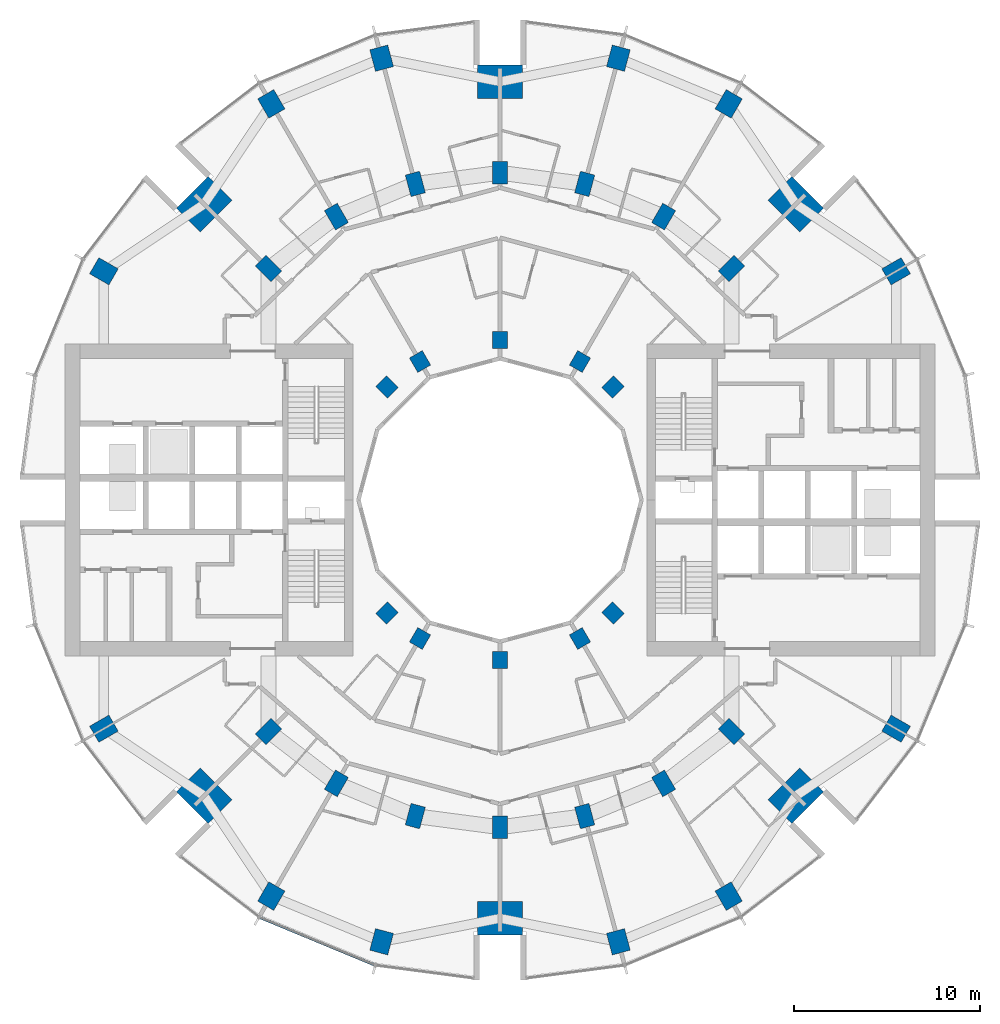
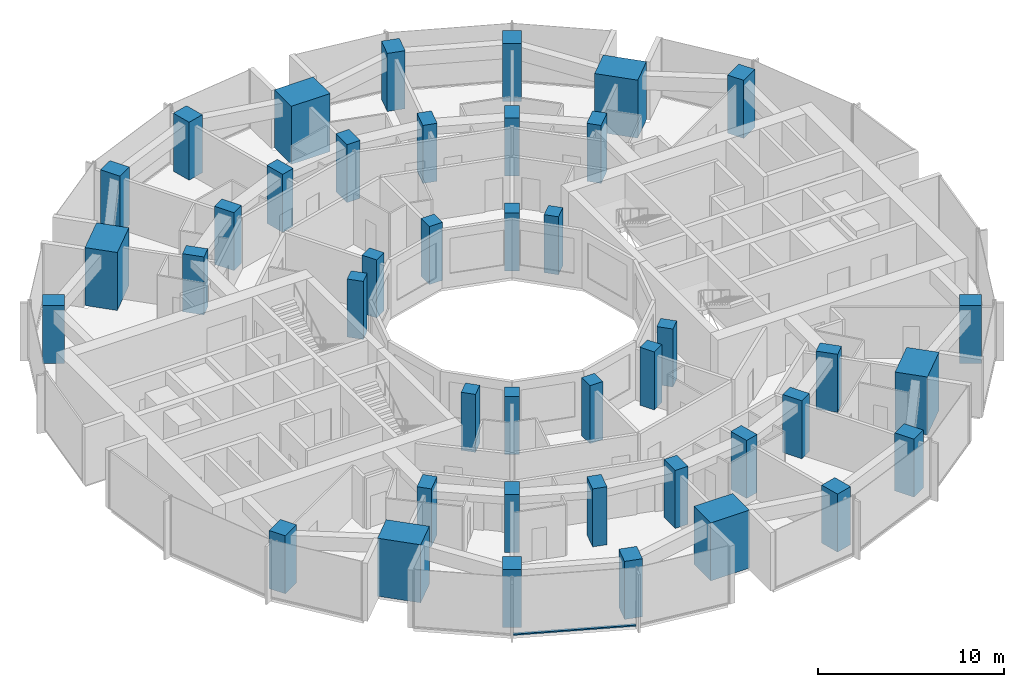
# One storey, part 1 of 15: 42 columns, 1 member, 1 element without a shape of its own.
"""IFC4 building model written with IfcOpenShell, lengths in metres."""

from ifc_helpers import new_model, si_unit, direction, frame, origin, origin_2d, place, context, subcontext, project, spatial, rectangle, extrude, material, layer, layer_set, material_profile, profile_set, type_object, element, aggregate, save


model = new_model("IFC4")

# Units and contexts
model_context = context("Model", 3, precision=1e-05, world=origin(), true_north=direction((0.0, 1.0)))
body_context = subcontext(model_context, "Body", "Model", "MODEL_VIEW")
ifc_project = project(units=[si_unit("LENGTHUNIT", "METRE"), si_unit("AREAUNIT", "SQUARE_METRE"), si_unit("VOLUMEUNIT", "CUBIC_METRE"), si_unit("PLANEANGLEUNIT", "RADIAN"), si_unit("MASSUNIT", "GRAM", prefix="KILO")], contexts=[model_context])

# Site, building, storey
site_placement = place(None, origin())
site = spatial("IfcSite", under=ifc_project, at=site_placement, CompositionType="ELEMENT")
building_placement = place(site_placement, origin())
building = spatial("IfcBuilding", under=site, at=building_placement, Name="Torre Brocal", CompositionType="ELEMENT")
storey_placement = place(building_placement, frame((0.0, 0.0, 36.39990234375)))
storey = spatial("IfcBuildingStorey", under=building, at=storey_placement, Name="L07", CompositionType="ELEMENT", Elevation=36.39990234375)

# Columns
ifc_material_1 = material(Name="Concrete C80", Category="concrete")
ifc_material_profile_1 = material_profile(ifc_material_1, rectangle(XDim=1.199951171875, YDim=1.0, at=origin_2d()), Name="RC 1200X1000")
ifc_profile_set_1 = profile_set([ifc_material_profile_1], Name="Concrete C80")
column_type_1 = type_object("IfcColumnType", Name="RC COLUMN 1200X1000 C80", PredefinedType="COLUMN", material=ifc_profile_set_1)
for number, where, z_axis, x_axis, name in (
    (1, (101.30419921875, 87.300048828125, 0.0), (0.0, 0.0, 1.0), (0.866025403784, 0.5, 0.0), "Column C-O02"),
    (2, (92.300048828125, 96.30419921875, 0.0), (0.0, 0.0, 1.0), (0.5, 0.866025403784, 0.0), "Column C-O04"),
    (3, (86.366943359375, 98.76171875, 0.0), (0.0, 0.0, 1.0), (0.258819045103, 0.965925826289, 0.0), "Column C-O05"),
    (4, (73.633056640625, 98.76171875, 0.0), (0.0, 0.0, 1.0), (-0.258819045103, 0.965925826289, 0.0), "Column C-O07"),
    (5, (67.699951171875, 96.30419921875, 0.0), (0.0, 0.0, 1.0), (-0.5, 0.866025403784, 0.0), "Column C-O08"),
    (6, (58.69580078125, 87.300048828125, 0.0), (0.0, 0.0, 1.0), (-0.866025403784, 0.5, 0.0), "Column C-O10"),
    (7, (58.69580078125, 62.699951171875, 0.0), (0.0, 0.0, 1.0), (-0.866025403784, -0.5, 0.0), "Column C-O14"),
    (8, (67.699951171875, 53.69580078125, 0.0), (0.0, 0.0, 1.0), (-0.5, -0.866025403784, 0.0), "Column C-O16"),
    (9, (73.633056640625, 51.23828125, 0.0), (0.0, 0.0, 1.0), (-0.258819045103, -0.965925826289, 0.0), "Column C-O17"),
    (10, (86.366943359375, 51.23828125, 0.0), (0.0, 0.0, 1.0), (0.258819045103, -0.965925826289, 0.0), "Column C-O19"),
    (11, (92.300048828125, 53.69580078125, 0.0), (0.0, 0.0, 1.0), (0.5, -0.866025403784, 0.0), "Column C-O20"),
    (12, (101.30419921875, 62.699951171875, 0.0), (0.0, 0.0, 1.0), (0.866025403784, -0.5, 0.0), "Column C-O22"),
):
    element("IfcColumn", number, at=place(storey_placement, frame(where, z_axis=z_axis, x_axis=x_axis)), inside=storey, type_object=column_type_1, Name=name, PredefinedType="COLUMN", context=body_context, shape_type="SweptSolid", body=[
        extrude(rectangle(XDim=1.199951171875, YDim=1.0, at=origin_2d()), origin(), (0.0, 0.0, 1.0), 3.800048828125),
    ])
ifc_material_2 = material(Name="Concrete C80", Category="concrete")
ifc_material_profile_2 = material_profile(ifc_material_2, rectangle(XDim=1.199951171875, YDim=0.800048828125, at=origin_2d()), Name="RC 1200X800")
ifc_profile_set_2 = profile_set([ifc_material_profile_2], Name="Concrete C80")
column_type_2 = type_object("IfcColumnType", Name="RC COLUMN 1200X800 C80", PredefinedType="COLUMN", material=ifc_profile_set_2)
for number, where, z_axis, x_axis, name in (
    (13, (92.445068359375, 87.445068359375, 0.0), (0.0, 0.0, 1.0), (0.707106781187, 0.707106781187, 0.0), "Column C-M03"),
    (14, (88.800048828125, 90.241943359375, 0.0), (0.0, 0.0, 1.0), (0.5, 0.866025403784, 0.0), "Column C-M04"),
    (15, (84.55517578125, 92.000244140625, 0.0), (0.0, 0.0, 1.0), (0.258819045103, 0.965925826289, 0.0), "Column C-M05"),
    (16, (80.0, 92.60009765625, 0.0), (0.0, 0.0, 1.0), (0.0, 1.0, 0.0), "Column C-M06"),
    (17, (75.44482421875, 92.000244140625, 0.0), (0.0, 0.0, 1.0), (-0.258819045103, 0.965925826289, 0.0), "Column C-M07"),
    (18, (71.199951171875, 90.241943359375, 0.0), (0.0, 0.0, 1.0), (-0.5, 0.866025403784, 0.0), "Column C-M08"),
    (19, (67.554931640625, 87.445068359375, 0.0), (0.0, 0.0, 1.0), (-0.707106781187, 0.707106781187, 0.0), "Column C-M09"),
    (20, (67.554931640625, 62.554931640625, 0.0), (0.0, 0.0, 1.0), (-0.707106781187, -0.707106781187, 0.0), "Column C-M15"),
    (21, (71.199951171875, 59.758056640625, 0.0), (0.0, 0.0, 1.0), (-0.5, -0.866025403784, 0.0), "Column C-M16"),
    (22, (75.44482421875, 57.999755859375, 0.0), (0.0, 0.0, 1.0), (-0.258819045103, -0.965925826289, 0.0), "Column C-M17"),
    (23, (80.0, 57.39990234375, 0.0), (0.0, 0.0, 1.0), (0.0, -1.0, 0.0), "Column C-M18"),
    (24, (84.55517578125, 57.999755859375, 0.0), (0.0, 0.0, 1.0), (0.258819045103, -0.965925826289, 0.0), "Column C-M19"),
    (25, (88.800048828125, 59.758056640625, 0.0), (0.0, 0.0, 1.0), (0.5, -0.866025403784, 0.0), "Column C-M20"),
    (26, (92.445068359375, 62.554931640625, 0.0), (0.0, 0.0, 1.0), (0.707106781187, -0.707106781187, 0.0), "Column C-M21"),
):
    element("IfcColumn", number, at=place(storey_placement, frame(where, z_axis=z_axis, x_axis=x_axis)), inside=storey, type_object=column_type_2, Name=name, PredefinedType="COLUMN", context=body_context, shape_type="SweptSolid", body=[
        extrude(rectangle(XDim=1.199951171875, YDim=0.800048828125, at=origin_2d()), origin(), (0.0, 0.0, 1.0), 3.800048828125),
    ])
ifc_material_3 = material(Name="Concrete C80", Category="concrete")
ifc_material_profile_3 = material_profile(ifc_material_3, rectangle(XDim=1.800048828125, YDim=2.39990234375, at=origin_2d()), Name="RC 1800X2400")
ifc_profile_set_3 = profile_set([ifc_material_profile_3], Name="Concrete C80")
column_type_3 = type_object("IfcColumnType", Name="RC COLUMN 1800X2400 C80", PredefinedType="COLUMN", material=ifc_profile_set_3)
for number, where, z_axis, x_axis, name in (
    (27, (95.909912109375, 90.909912109375, 0.0), (0.0, 0.0, 1.0), (0.707106781187, 0.707106781187, 0.0), "Column MC-1"),
    (28, (80.0, 97.5, 0.0), (0.0, 0.0, 1.0), (0.0, 1.0, 0.0), "Column MC-2"),
    (29, (64.090087890625, 90.909912109375, 0.0), (0.0, 0.0, 1.0), (-0.707106781187, 0.707106781187, 0.0), "Column MC-3"),
    (30, (64.090087890625, 59.090087890625, 0.0), (0.0, 0.0, 1.0), (-0.707106781187, -0.707106781187, 0.0), "Column MC-5"),
    (31, (80.0, 52.5, 0.0), (0.0, 0.0, 1.0), (0.0, -1.0, 0.0), "Column MC-6"),
    (32, (95.909912109375, 59.090087890625, 0.0), (0.0, 0.0, 1.0), (0.707106781187, -0.707106781187, 0.0), "Column MC-7"),
):
    element("IfcColumn", number, at=place(storey_placement, frame(where, z_axis=z_axis, x_axis=x_axis)), inside=storey, type_object=column_type_3, Name=name, PredefinedType="COLUMN", context=body_context, shape_type="SweptSolid", body=[
        extrude(rectangle(XDim=1.800048828125, YDim=2.39990234375, at=origin_2d()), origin(), (0.0, 0.0, 1.0), 3.800048828125),
    ])
ifc_material_4 = material(Name="Concrete C80", Category="concrete")
ifc_material_profile_4 = material_profile(ifc_material_4, rectangle(XDim=0.89990234375, YDim=0.800048828125, at=origin_2d()), Name="RC 900X800")
ifc_profile_set_4 = profile_set([ifc_material_profile_4], Name="Concrete C80")
column_type_4 = type_object("IfcColumnType", Name="RC COLUMN 900X800 C80", PredefinedType="COLUMN", material=ifc_profile_set_4)
for number, where, z_axis, x_axis, name in (
    (33, (86.0810546875, 81.0810546875, 0.0), (0.0, 0.0, 1.0), (0.707106781187, 0.707106781187, 0.0), "Column C-I03"),
    (34, (84.300048828125, 82.44775390625, 0.0), (0.0, 0.0, 1.0), (0.5, 0.866025403784, 0.0), "Column C-I04"),
    (35, (80.0, 83.60009765625, 0.0), (0.0, 0.0, 1.0), (0.0, 1.0, 0.0), "Column C-I06"),
    (36, (75.699951171875, 82.44775390625, 0.0), (0.0, 0.0, 1.0), (-0.5, 0.866025403784, 0.0), "Column C-I08"),
    (37, (73.9189453125, 81.0810546875, 0.0), (0.0, 0.0, 1.0), (-0.707106781187, 0.707106781187, 0.0), "Column C-I09"),
    (38, (73.9189453125, 68.9189453125, 0.0), (0.0, 0.0, 1.0), (-0.707106781187, -0.707106781187, 0.0), "Column C-I15"),
    (39, (75.699951171875, 67.55224609375, 0.0), (0.0, 0.0, 1.0), (-0.5, -0.866025403784, 0.0), "Column C-I16"),
    (40, (80.0, 66.39990234375, 0.0), (0.0, 0.0, 1.0), (0.0, -1.0, 0.0), "Column C-I18"),
    (41, (84.300048828125, 67.55224609375, 0.0), (0.0, 0.0, 1.0), (0.5, -0.866025403784, 0.0), "Column C-I20"),
    (42, (86.0810546875, 68.9189453125, 0.0), (0.0, 0.0, 1.0), (0.707106781187, -0.707106781187, 0.0), "Column C-I21"),
):
    element("IfcColumn", number, at=place(storey_placement, frame(where, z_axis=z_axis, x_axis=x_axis)), inside=storey, type_object=column_type_4, Name=name, PredefinedType="COLUMN", context=body_context, shape_type="SweptSolid", body=[
        extrude(rectangle(XDim=0.89990234375, YDim=0.800048828125, at=origin_2d()), origin(), (0.0, 0.0, 1.0), 3.800048828125),
    ])

# Curtain wall, member
ifc_material_5 = material(Name="Aluminium and glass", Category="aluminium")
ifc_layer = layer(ifc_material_5, 0.199951171875)
ifc_layer_set = layer_set([ifc_layer], Name="Aluminium and glass")
curtain_wall_type = type_object("IfcCurtainWallType", Name="CW-1 CURTAIN WALL 3800 HIGH", PredefinedType="NOTDEFINED", material=ifc_layer_set)
curtain_wall_placement = place(storey_placement, origin())
curtain_wall = element("IfcCurtainWall", 43, at=curtain_wall_placement, inside=storey, type_object=curtain_wall_type, Name="CW-1 RUN 17", PredefinedType="NOTDEFINED")
ifc_material_6 = material(Name="Aluminium, dark anodised", Category="aluminium")
ifc_material_profile_5 = material_profile(ifc_material_6, rectangle(XDim=0.159912109375, YDim=0.080078125, at=origin_2d()), Name="CW-1 TRANSOM 160X80")
ifc_profile_set_5 = profile_set([ifc_material_profile_5], Name="Aluminium, dark anodised")
member_type = type_object("IfcMemberType", Name="CW-1 TRANSOM 160X80", PredefinedType="USERDEFINED", material=ifc_profile_set_5)
member_placement = place(storey_placement, frame((67.10595703125, 52.547607421875, 0.0400390625), z_axis=(0.923887344364, -0.38266457234, 0.0), x_axis=(0.38266457234, 0.923887344364, 0.0)))
member = element("IfcMember", 44, at=member_placement, type_object=member_type, Name="CW1-1 transom 1.1", ObjectType="TRANSOM", PredefinedType="USERDEFINED", context=body_context, shape_type="SweptSolid", body=[
    extrude(rectangle(XDim=0.159912109375, YDim=0.080078125, at=origin_2d()), origin(), (0.0, 0.0, 1.0), 6.640869140625),
])
aggregate(curtain_wall, [member])

save(model, "model.ifc")
